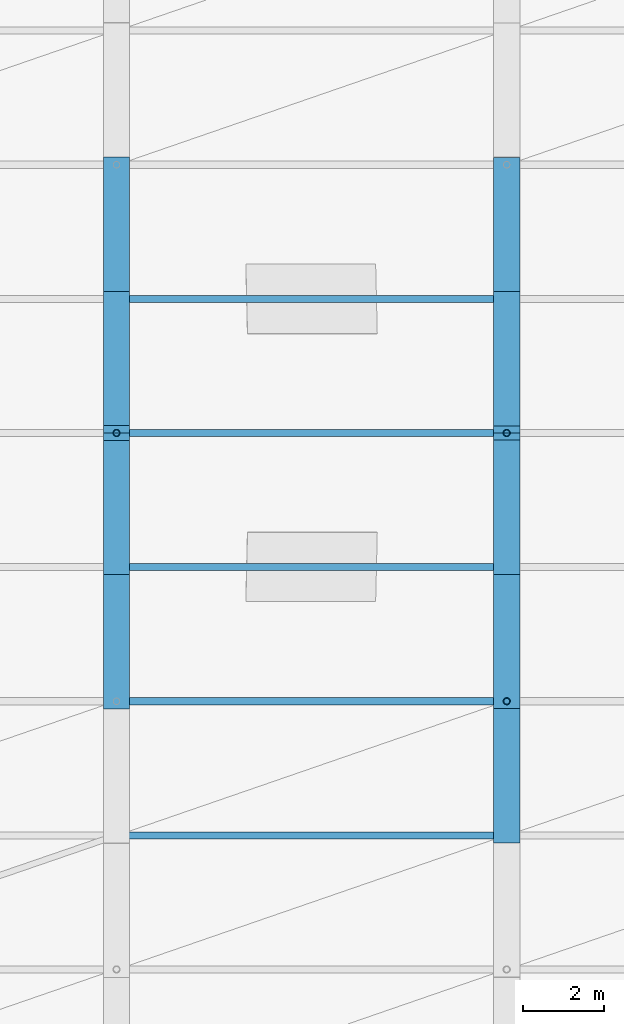
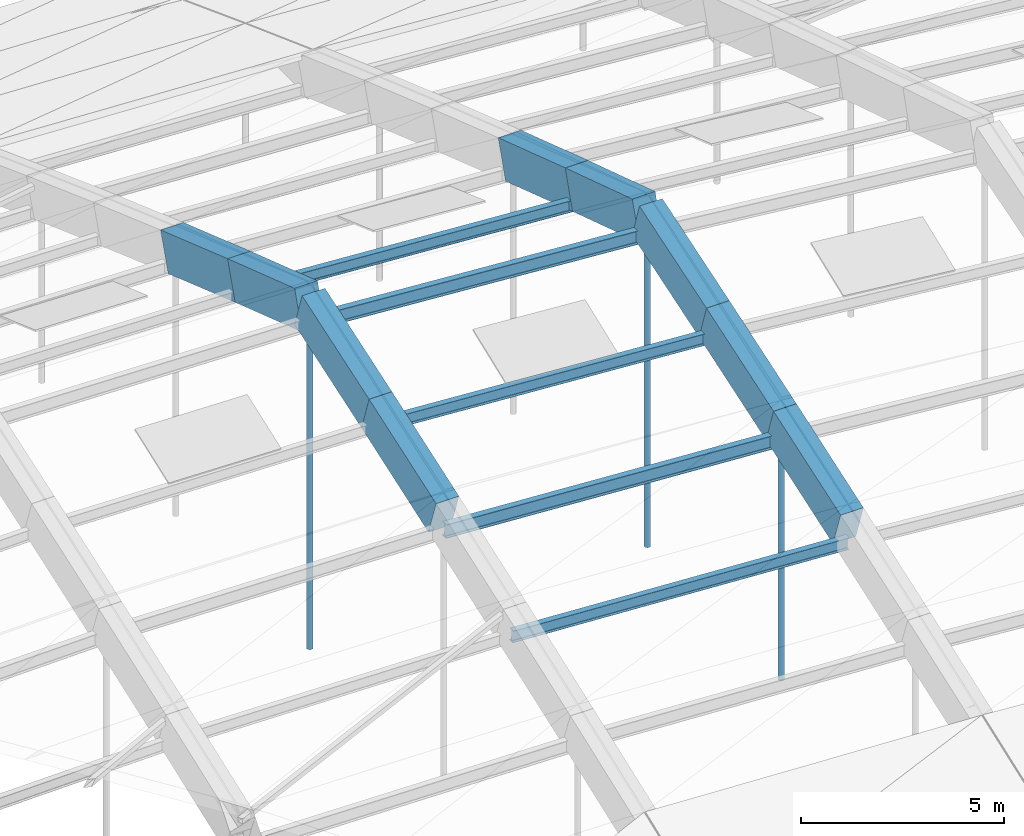
# One storey, part 17 of 43: 9 beams, 8 members.
"""IFC4 building model written with IfcOpenShell, lengths in metres."""

from ifc_helpers import new_model, si_unit, direction, frame, origin, origin_2d, place, context, subcontext, project, spatial, rectangle, hollow_circle, i_section, extrude, material, material_profile, profile_set, type_object, element, save


model = new_model("IFC4")

# Units and contexts
model_context = context("Model", 3, precision=1e-05, world=origin(), true_north=direction((0.0, 1.0)))
body_context = subcontext(model_context, "Body", "Model", "MODEL_VIEW")
ifc_project = project(units=[si_unit("LENGTHUNIT", "METRE"), si_unit("AREAUNIT", "SQUARE_METRE"), si_unit("VOLUMEUNIT", "CUBIC_METRE"), si_unit("PLANEANGLEUNIT", "RADIAN"), si_unit("MASSUNIT", "GRAM", prefix="KILO")], contexts=[model_context])

# Site, building, storey
site_placement = place(None, origin())
site = spatial("IfcSite", under=ifc_project, at=site_placement, CompositionType="ELEMENT")
building_placement = place(site_placement, origin())
building = spatial("IfcBuilding", under=site, at=building_placement, Name="Chalmorin Arch Market", CompositionType="ELEMENT")
storey_placement = place(building_placement, frame((0.0, 0.0, 18.60009765625)))
storey = spatial("IfcBuildingStorey", under=building, at=storey_placement, Name="RF", CompositionType="ELEMENT", Elevation=18.60009765625)

# Members
ifc_material_1 = material(Name="Steel A500 Grade C", Category="steel")
ifc_material_profile_1 = material_profile(ifc_material_1, hollow_circle(Radius=0.084228515625, WallThickness=0.007080078125, at=origin_2d()), Name="CHS168X7")
ifc_profile_set_1 = profile_set([ifc_material_profile_1], Name="Steel A500 Grade C")
member_type_1 = type_object("IfcMemberType", Name="ArchHangerTie-CHS168", PredefinedType="CHORD", material=ifc_profile_set_1)
member_1_placement = place(storey_placement, frame((96.0, 32.39990234375, -2.552978515625), z_axis=(0.0, 0.0, 1.0), x_axis=(1.0, 0.0, 0.0)))
element("IfcMember", 1, at=member_1_placement, inside=storey, type_object=member_type_1, Name="HT-CH168-0166", PredefinedType="CHORD", context=body_context, shape_type="SweptSolid", body=[
    extrude(hollow_circle(Radius=0.084228515625, WallThickness=0.007080078125, at=origin_2d()), origin(), (0.0, 0.0, 1.0), 10.266845703125),
])
member_2_placement = place(storey_placement, frame((105.60009765625, 25.800048828125, -2.845458984375), z_axis=(0.0, 0.0, 1.0), x_axis=(1.0, 0.0, 0.0)))
element("IfcMember", 2, at=member_2_placement, inside=storey, type_object=member_type_1, Name="HT-CH168-0172", PredefinedType="CHORD", context=body_context, shape_type="SweptSolid", body=[
    extrude(hollow_circle(Radius=0.084228515625, WallThickness=0.007080078125, at=origin_2d()), origin(), (0.0, 0.0, 1.0), 7.72802734375),
])
member_3_placement = place(storey_placement, frame((105.60009765625, 32.39990234375, -2.845458984375), z_axis=(0.0, 0.0, 1.0), x_axis=(1.0, 0.0, 0.0)))
element("IfcMember", 3, at=member_3_placement, inside=storey, type_object=member_type_1, Name="HT-CH168-0173", PredefinedType="CHORD", context=body_context, shape_type="SweptSolid", body=[
    extrude(hollow_circle(Radius=0.084228515625, WallThickness=0.007080078125, at=origin_2d()), origin(), (0.0, 0.0, 1.0), 9.887451171875),
])

# Beams
ifc_material_2 = material(Name="Concrete C50/60", Category="concrete")
ifc_material_profile_2 = material_profile(ifc_material_2, rectangle(XDim=0.64990234375, YDim=1.14990234375, at=origin_2d()), Name="RC650X1150")
ifc_profile_set_2 = profile_set([ifc_material_profile_2], Name="Concrete C50/60")
beam_type = type_object("IfcBeamType", Name="ArchRibChord-650x1150", PredefinedType="BEAM", material=ifc_profile_set_2)
beam_1_placement = place(storey_placement, frame((96.0, 25.800048828125, 5.466796875), z_axis=(0.0, 0.945287483445, 0.326238522621), x_axis=(-1.0, 0.0, 0.0)))
element("IfcBeam", 4, at=beam_1_placement, inside=storey, type_object=beam_type, Name="AR-01-1686", PredefinedType="BEAM", context=body_context, shape_type="SweptSolid", body=[
    extrude(rectangle(XDim=0.64990234375, YDim=1.14990234375, at=origin_2d()), origin(), (0.0, 0.0, 1.0), 3.490966796875),
])
beam_2_placement = place(storey_placement, frame((96.0, 29.10009765625, 6.605712890625), z_axis=(0.0, 0.947972533433, 0.318352125573), x_axis=(-1.0, 0.0, 0.0)))
element("IfcBeam", 5, at=beam_2_placement, inside=storey, type_object=beam_type, Name="AR-01-1687", PredefinedType="BEAM", context=body_context, shape_type="SweptSolid", body=[
    extrude(rectangle(XDim=0.64990234375, YDim=1.14990234375, at=origin_2d()), origin(), (0.0, 0.0, 1.0), 3.48095703125),
])
beam_3_placement = place(storey_placement, frame((96.0, 32.39990234375, 7.7138671875), z_axis=(0.0, 0.94797964098, -0.318330960303), x_axis=(-1.0, 0.0, 0.0)))
element("IfcBeam", 6, at=beam_3_placement, inside=storey, type_object=beam_type, Name="AR-01-1688", PredefinedType="BEAM", context=body_context, shape_type="SweptSolid", body=[
    extrude(rectangle(XDim=0.64990234375, YDim=1.14990234375, at=origin_2d()), origin(), (0.0, 0.0, 1.0), 3.481201171875),
])
beam_4_placement = place(storey_placement, frame((96.0, 35.699951171875, 6.605712890625), z_axis=(0.0, 0.945287483445, -0.326238522621), x_axis=(-1.0, 0.0, 0.0)))
element("IfcBeam", 7, at=beam_4_placement, inside=storey, type_object=beam_type, Name="AR-01-1689", PredefinedType="BEAM", context=body_context, shape_type="SweptSolid", body=[
    extrude(rectangle(XDim=0.64990234375, YDim=1.14990234375, at=origin_2d()), origin(), (0.0, 0.0, 1.0), 3.490966796875),
])
beam_5_placement = place(storey_placement, frame((105.60009765625, 22.5, 3.75927734375), z_axis=(0.0, 0.946661270145, 0.322230413845), x_axis=(-1.0, 0.0, 0.0)))
element("IfcBeam", 8, at=beam_5_placement, inside=storey, type_object=beam_type, Name="AR-01-1704", PredefinedType="BEAM", context=body_context, shape_type="SweptSolid", body=[
    extrude(rectangle(XDim=0.64990234375, YDim=1.14990234375, at=origin_2d()), origin(), (0.0, 0.0, 1.0), 3.486083984375),
])
beam_6_placement = place(storey_placement, frame((105.60009765625, 25.800048828125, 4.882568359375), z_axis=(0.0, 0.949180689868, 0.314731660279), x_axis=(-1.0, 0.0, 0.0)))
element("IfcBeam", 9, at=beam_6_placement, inside=storey, type_object=beam_type, Name="AR-01-1705", PredefinedType="BEAM", context=body_context, shape_type="SweptSolid", body=[
    extrude(rectangle(XDim=0.64990234375, YDim=1.14990234375, at=origin_2d()), origin(), (0.0, 0.0, 1.0), 3.476806640625),
])
beam_7_placement = place(storey_placement, frame((105.60009765625, 29.10009765625, 5.976806640625), z_axis=(0.0, 0.951646882894, 0.307194092192), x_axis=(-1.0, 0.0, 0.0)))
element("IfcBeam", 10, at=beam_7_placement, inside=storey, type_object=beam_type, Name="AR-01-1706", PredefinedType="BEAM", context=body_context, shape_type="SweptSolid", body=[
    extrude(rectangle(XDim=0.64990234375, YDim=1.14990234375, at=origin_2d()), origin(), (0.0, 0.0, 1.0), 3.467529296875),
])
beam_8_placement = place(storey_placement, frame((105.60009765625, 32.39990234375, 7.0419921875), z_axis=(0.0, 0.95165352659, -0.307173510136), x_axis=(-1.0, 0.0, 0.0)))
element("IfcBeam", 11, at=beam_8_placement, inside=storey, type_object=beam_type, Name="AR-01-1707", PredefinedType="BEAM", context=body_context, shape_type="SweptSolid", body=[
    extrude(rectangle(XDim=0.64990234375, YDim=1.14990234375, at=origin_2d()), origin(), (0.0, 0.0, 1.0), 3.4677734375),
])
beam_9_placement = place(storey_placement, frame((105.60009765625, 35.699951171875, 5.976806640625), z_axis=(0.0, 0.949180689868, -0.314731660279), x_axis=(-1.0, 0.0, 0.0)))
element("IfcBeam", 12, at=beam_9_placement, inside=storey, type_object=beam_type, Name="AR-01-1708", PredefinedType="BEAM", context=body_context, shape_type="SweptSolid", body=[
    extrude(rectangle(XDim=0.64990234375, YDim=1.14990234375, at=origin_2d()), origin(), (0.0, 0.0, 1.0), 3.476806640625),
])

# Members
ifc_material_3 = material(Name="Steel A992 Grade 50", Category="steel")
ifc_material_profile_3 = material_profile(ifc_material_3, i_section(OverallWidth=0.1708984375, OverallDepth=0.35107421875, WebThickness=0.0068359375, FlangeThickness=0.009765625, FilletRadius=0.014892578125, at=origin_2d()), Name="W14X30")
ifc_profile_set_3 = profile_set([ifc_material_profile_3], Name="Steel A992 Grade 50")
member_type_2 = type_object("IfcMemberType", Name="RoofSteelPurlin-W14X30", PredefinedType="PURLIN", material=ifc_profile_set_3)
member_4_placement = place(storey_placement, frame((96.02001953125, 22.5, 3.81787109375), z_axis=(0.998416902121, 0.0, -0.056246684868), x_axis=(0.0, 1.0, 0.0)))
element("IfcMember", 13, at=member_4_placement, inside=storey, type_object=member_type_2, Name="PR-W14-0286", PredefinedType="PURLIN", context=body_context, shape_type="SweptSolid", body=[
    extrude(i_section(OverallWidth=0.1708984375, OverallDepth=0.35107421875, WebThickness=0.0068359375, FlangeThickness=0.009765625, FilletRadius=0.014892578125, at=origin_2d()), origin(), (0.0, 0.0, 1.0), 9.5751953125),
])
for number, where, z_axis, x_axis, name in (
    (14, (96.02001953125, 29.10009765625, 6.12548828125), (0.997844848804, 0.0, -0.065617510743), (0.0, 1.0, 0.0), "PR-W14-0288"),
    (15, (96.02001953125, 35.699951171875, 6.12548828125), (0.997844848804, 0.0, -0.065617510743), (0.0, 1.0, 0.0), "PR-W14-0290"),
):
    element("IfcMember", number, at=place(storey_placement, frame(where, z_axis=z_axis, x_axis=x_axis)), inside=storey, type_object=member_type_2, Name=name, PredefinedType="PURLIN", context=body_context, shape_type="SweptSolid", body=[
        extrude(i_section(OverallWidth=0.1708984375, OverallDepth=0.35107421875, WebThickness=0.0068359375, FlangeThickness=0.009765625, FilletRadius=0.014892578125, at=origin_2d()), origin(), (0.0, 0.0, 1.0), 9.580810546875),
    ])
ifc_material_profile_4 = material_profile(ifc_material_3, i_section(OverallWidth=0.178955078125, OverallDepth=0.409912109375, WebThickness=0.0087890625, FlangeThickness=0.014404296875, FilletRadius=0.01806640625, at=origin_2d()), Name="W16X45")
ifc_profile_set_4 = profile_set([ifc_material_profile_4], Name="Steel A992 Grade 50")
member_type_3 = type_object("IfcMemberType", Name="RoofSteelPurlin-W16X45", PredefinedType="PURLIN", material=ifc_profile_set_4)
member_5_placement = place(storey_placement, frame((96.02001953125, 25.800048828125, 4.98681640625), z_axis=(0.998137912706, 0.0, -0.06099760011), x_axis=(0.0, 1.0, 0.0)))
element("IfcMember", 16, at=member_5_placement, inside=storey, type_object=member_type_3, Name="PR-W16-0287", PredefinedType="PURLIN", context=body_context, shape_type="SweptSolid", body=[
    extrude(i_section(OverallWidth=0.178955078125, OverallDepth=0.409912109375, WebThickness=0.0087890625, FlangeThickness=0.014404296875, FilletRadius=0.01806640625, at=origin_2d()), origin(), (0.0, 0.0, 1.0), 9.577880859375),
])
member_6_placement = place(storey_placement, frame((96.02001953125, 32.39990234375, 7.23388671875), z_axis=(0.997539515167, 0.0, -0.070106459618), x_axis=(0.0, 1.0, 0.0)))
element("IfcMember", 17, at=member_6_placement, inside=storey, type_object=member_type_3, Name="PR-W16-0289", PredefinedType="PURLIN", context=body_context, shape_type="SweptSolid", body=[
    extrude(i_section(OverallWidth=0.178955078125, OverallDepth=0.409912109375, WebThickness=0.0087890625, FlangeThickness=0.014404296875, FilletRadius=0.01806640625, at=origin_2d()), origin(), (0.0, 0.0, 1.0), 9.583740234375),
])

save(model, "model.ifc")
